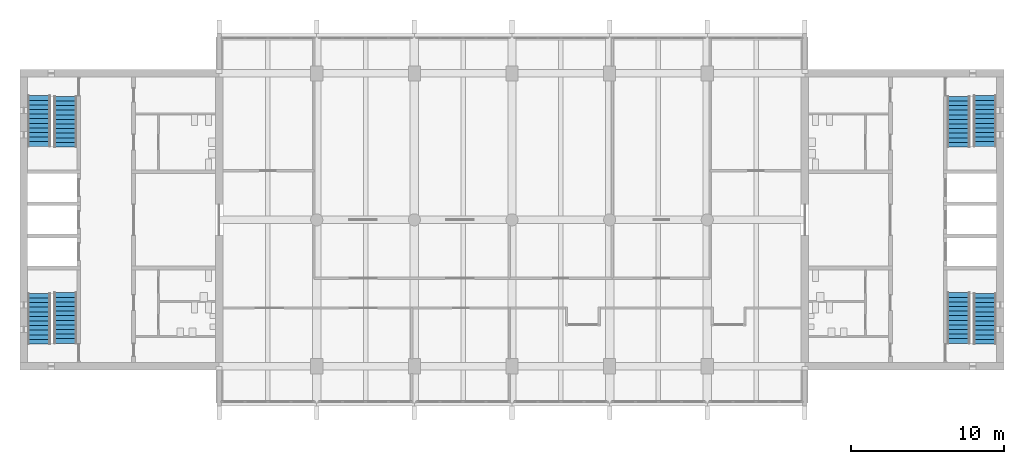
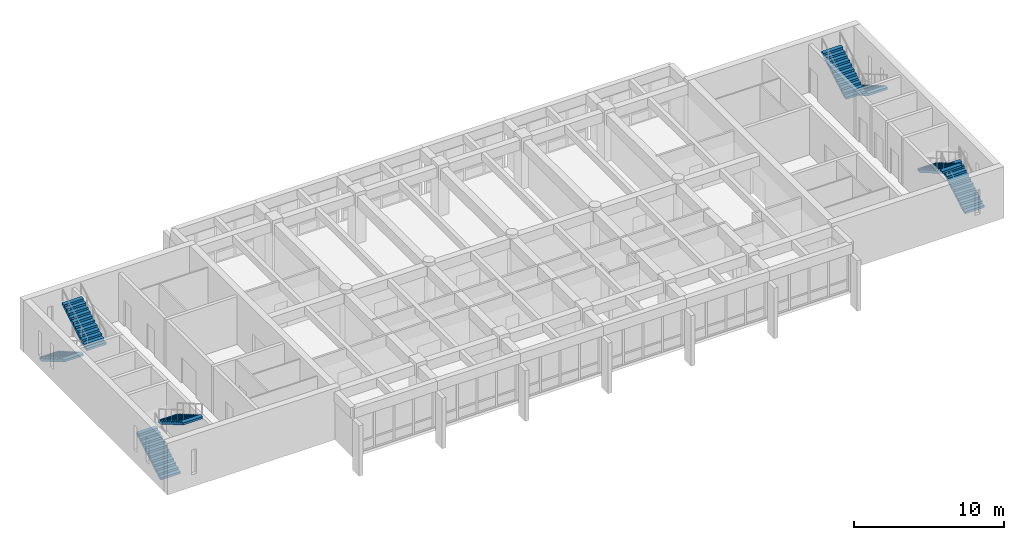
# One storey, part 13 of 15: 8 stair flights, 4 elements without a shape of their own.
"""IFC4 building model written with IfcOpenShell, lengths in metres."""

from ifc_helpers import new_model, si_unit, direction, frame, origin, place, context, subcontext, project, spatial, polyline, outline, extrude, material, type_object, element, aggregate, save


model = new_model("IFC4")

# Units and contexts
model_context = context("Model", 3, precision=1e-05, world=origin(), true_north=direction((0.0, 1.0)))
body_context = subcontext(model_context, "Body", "Model", "MODEL_VIEW")
ifc_project = project(units=[si_unit("LENGTHUNIT", "METRE"), si_unit("AREAUNIT", "SQUARE_METRE"), si_unit("VOLUMEUNIT", "CUBIC_METRE"), si_unit("PLANEANGLEUNIT", "RADIAN"), si_unit("MASSUNIT", "GRAM", prefix="KILO")], contexts=[model_context])

# Site, building, storey
site_placement = place(None, origin())
site = spatial("IfcSite", under=ifc_project, at=site_placement, CompositionType="ELEMENT")
building_placement = place(site_placement, origin())
building = spatial("IfcBuilding", under=site, at=building_placement, Name="Fogon Plaza Fire Station and Headquarters Tower", CompositionType="ELEMENT")
storey_placement = place(building_placement, frame((0.0, 0.0, 60.0)))
storey = spatial("IfcBuildingStorey", under=building, at=storey_placement, Name="L15", CompositionType="ELEMENT", Elevation=60.0)

# Stair, stair flights
ifc_material_1 = material(Name="Concrete C40", Category="concrete")
stair_type = type_object("IfcStairType", Name="Exit Stair Two Flights", PredefinedType="TWO_STRAIGHT_RUN_STAIR", material=ifc_material_1)
stair_1_placement = place(storey_placement, origin())
stair_1 = element("IfcStair", 1, at=stair_1_placement, inside=storey, type_object=stair_type, Name="Stair ST1", PredefinedType="TWO_STRAIGHT_RUN_STAIR")
ifc_material_2 = material(Name="Concrete C40", Category="concrete")
stair_flight_type = type_object("IfcStairFlightType", Name="Stair Flight 12 Risers", PredefinedType="STRAIGHT", material=ifc_material_2)
stair_flight_1_placement = place(storey_placement, frame((13.800048828125, 35.060791015625, 0.0), z_axis=(0.0, 0.0, 1.0), x_axis=(0.0, 1.0, 0.0)))
stair_flight_1 = element("IfcStairFlight", 2, at=stair_flight_1_placement, type_object=stair_flight_type, Name="ST1 flight F33", NumberOfRisers=12, NumberOfTreads=11, PredefinedType="STRAIGHT", RiserHeight=0.175, TreadLength=0.301363636, context=body_context, shape_type="SweptSolid", body=[
    extrude(outline(polyline([(0.0, 0.0), (0.0, 0.175048828125), (0.30126953125, 0.175048828125), (0.30126953125, 0.35009765625), (0.602783203125, 0.35009765625), (0.602783203125, 0.52490234375), (0.904052734375, 0.52490234375), (0.904052734375, 0.699951171875), (1.20556640625, 0.699951171875), (1.20556640625, 0.875), (1.5068359375, 0.875), (1.5068359375, 1.050048828125), (1.80810546875, 1.050048828125), (1.80810546875, 1.22509765625), (2.109619140625, 1.22509765625), (2.109619140625, 1.39990234375), (2.410888671875, 1.39990234375), (2.410888671875, 1.574951171875), (2.712158203125, 1.574951171875), (2.712158203125, 1.75), (3.013671875, 1.75), (3.013671875, 1.925048828125), (3.31494140625, 1.925048828125), (3.31494140625, 2.10009765625), (3.31494140625, 1.751708984375), (0.298583984375, 0.0), (0.0, 0.0)])), frame((0.0, 0.75, 0.0), z_axis=(0.0, -1.0, 0.0), x_axis=(1.0, 0.0, 0.0)), (0.0, 0.0, 1.0), 1.5),
])
stair_flight_2_placement = place(storey_placement, frame((15.52490234375, 38.42431640625, 2.10009765625), z_axis=(0.0, 0.0, 1.0), x_axis=(0.0, -1.0, 0.0)))
stair_flight_2 = element("IfcStairFlight", 3, at=stair_flight_2_placement, type_object=stair_flight_type, Name="ST1 flight F34", NumberOfRisers=12, NumberOfTreads=11, PredefinedType="STRAIGHT", RiserHeight=0.175, TreadLength=0.301363636, context=body_context, shape_type="SweptSolid", body=[
    extrude(outline(polyline([(0.0, 0.0), (0.0, 0.175048828125), (0.30126953125, 0.175048828125), (0.30126953125, 0.35009765625), (0.602783203125, 0.35009765625), (0.602783203125, 0.52490234375), (0.904052734375, 0.52490234375), (0.904052734375, 0.699951171875), (1.20556640625, 0.699951171875), (1.20556640625, 0.875), (1.5068359375, 0.875), (1.5068359375, 1.050048828125), (1.80810546875, 1.050048828125), (1.80810546875, 1.22509765625), (2.109619140625, 1.22509765625), (2.109619140625, 1.39990234375), (2.410888671875, 1.39990234375), (2.410888671875, 1.574951171875), (2.712158203125, 1.574951171875), (2.712158203125, 1.75), (3.013671875, 1.75), (3.013671875, 1.925048828125), (3.31494140625, 1.925048828125), (3.31494140625, 2.10009765625), (3.31494140625, 1.751708984375), (0.298583984375, 0.0), (0.0, 0.0)])), frame((0.0, 0.75, 0.0), z_axis=(0.0, -1.0, 0.0), x_axis=(1.0, 0.0, 0.0)), (0.0, 0.0, 1.0), 1.5),
])
aggregate(stair_1, [stair_flight_1, stair_flight_2])

stair_2_placement = place(storey_placement, origin())
stair_2 = element("IfcStair", 4, at=stair_2_placement, inside=storey, type_object=stair_type, Name="Stair ST2", PredefinedType="TWO_STRAIGHT_RUN_STAIR")
stair_flight_3_placement = place(storey_placement, frame((13.800048828125, 51.33935546875, 0.0), z_axis=(0.0, 0.0, 1.0), x_axis=(0.0, -1.0, 0.0)))
stair_flight_3 = element("IfcStairFlight", 5, at=stair_flight_3_placement, type_object=stair_flight_type, Name="ST2 flight F33", NumberOfRisers=12, NumberOfTreads=11, PredefinedType="STRAIGHT", RiserHeight=0.175, TreadLength=0.301363636, context=body_context, shape_type="SweptSolid", body=[
    extrude(outline(polyline([(0.0, 0.0), (0.0, 0.175048828125), (0.30126953125, 0.175048828125), (0.30126953125, 0.35009765625), (0.602783203125, 0.35009765625), (0.602783203125, 0.52490234375), (0.904052734375, 0.52490234375), (0.904052734375, 0.699951171875), (1.20556640625, 0.699951171875), (1.20556640625, 0.875), (1.5068359375, 0.875), (1.5068359375, 1.050048828125), (1.80810546875, 1.050048828125), (1.80810546875, 1.22509765625), (2.109619140625, 1.22509765625), (2.109619140625, 1.39990234375), (2.410888671875, 1.39990234375), (2.410888671875, 1.574951171875), (2.712158203125, 1.574951171875), (2.712158203125, 1.75), (3.013671875, 1.75), (3.013671875, 1.925048828125), (3.31494140625, 1.925048828125), (3.31494140625, 2.10009765625), (3.31494140625, 1.751708984375), (0.298583984375, 0.0), (0.0, 0.0)])), frame((0.0, 0.75, 0.0), z_axis=(0.0, -1.0, 0.0), x_axis=(1.0, 0.0, 0.0)), (0.0, 0.0, 1.0), 1.5),
])
stair_flight_4_placement = place(storey_placement, frame((15.52490234375, 47.975830078125, 2.10009765625), z_axis=(0.0, 0.0, 1.0), x_axis=(0.0, 1.0, 0.0)))
stair_flight_4 = element("IfcStairFlight", 6, at=stair_flight_4_placement, type_object=stair_flight_type, Name="ST2 flight F34", NumberOfRisers=12, NumberOfTreads=11, PredefinedType="STRAIGHT", RiserHeight=0.175, TreadLength=0.301363636, context=body_context, shape_type="SweptSolid", body=[
    extrude(outline(polyline([(0.0, 0.0), (0.0, 0.175048828125), (0.30126953125, 0.175048828125), (0.30126953125, 0.35009765625), (0.602783203125, 0.35009765625), (0.602783203125, 0.52490234375), (0.904052734375, 0.52490234375), (0.904052734375, 0.699951171875), (1.20556640625, 0.699951171875), (1.20556640625, 0.875), (1.5068359375, 0.875), (1.5068359375, 1.050048828125), (1.80810546875, 1.050048828125), (1.80810546875, 1.22509765625), (2.109619140625, 1.22509765625), (2.109619140625, 1.39990234375), (2.410888671875, 1.39990234375), (2.410888671875, 1.574951171875), (2.712158203125, 1.574951171875), (2.712158203125, 1.75), (3.013671875, 1.75), (3.013671875, 1.925048828125), (3.31494140625, 1.925048828125), (3.31494140625, 2.10009765625), (3.31494140625, 1.751708984375), (0.298583984375, 0.0), (0.0, 0.0)])), frame((0.0, 0.75, 0.0), z_axis=(0.0, -1.0, 0.0), x_axis=(1.0, 0.0, 0.0)), (0.0, 0.0, 1.0), 1.5),
])
aggregate(stair_2, [stair_flight_3, stair_flight_4])

stair_3_placement = place(storey_placement, origin())
stair_3 = element("IfcStair", 7, at=stair_3_placement, inside=storey, type_object=stair_type, Name="Stair ST3", PredefinedType="TWO_STRAIGHT_RUN_STAIR")
stair_flight_5_placement = place(storey_placement, frame((75.800048828125, 35.060791015625, 0.0), z_axis=(0.0, 0.0, 1.0), x_axis=(0.0, 1.0, 0.0)))
stair_flight_5 = element("IfcStairFlight", 8, at=stair_flight_5_placement, type_object=stair_flight_type, Name="ST3 flight F33", NumberOfRisers=12, NumberOfTreads=11, PredefinedType="STRAIGHT", RiserHeight=0.175, TreadLength=0.301363636, context=body_context, shape_type="SweptSolid", body=[
    extrude(outline(polyline([(0.0, 0.0), (0.0, 0.175048828125), (0.30126953125, 0.175048828125), (0.30126953125, 0.35009765625), (0.602783203125, 0.35009765625), (0.602783203125, 0.52490234375), (0.904052734375, 0.52490234375), (0.904052734375, 0.699951171875), (1.20556640625, 0.699951171875), (1.20556640625, 0.875), (1.5068359375, 0.875), (1.5068359375, 1.050048828125), (1.80810546875, 1.050048828125), (1.80810546875, 1.22509765625), (2.109619140625, 1.22509765625), (2.109619140625, 1.39990234375), (2.410888671875, 1.39990234375), (2.410888671875, 1.574951171875), (2.712158203125, 1.574951171875), (2.712158203125, 1.75), (3.013671875, 1.75), (3.013671875, 1.925048828125), (3.31494140625, 1.925048828125), (3.31494140625, 2.10009765625), (3.31494140625, 1.751708984375), (0.298583984375, 0.0), (0.0, 0.0)])), frame((0.0, 0.75, 0.0), z_axis=(0.0, -1.0, 0.0), x_axis=(1.0, 0.0, 0.0)), (0.0, 0.0, 1.0), 1.5),
])
stair_flight_6_placement = place(storey_placement, frame((74.074951171875, 38.42431640625, 2.10009765625), z_axis=(0.0, 0.0, 1.0), x_axis=(0.0, -1.0, 0.0)))
stair_flight_6 = element("IfcStairFlight", 9, at=stair_flight_6_placement, type_object=stair_flight_type, Name="ST3 flight F34", NumberOfRisers=12, NumberOfTreads=11, PredefinedType="STRAIGHT", RiserHeight=0.175, TreadLength=0.301363636, context=body_context, shape_type="SweptSolid", body=[
    extrude(outline(polyline([(0.0, 0.0), (0.0, 0.175048828125), (0.30126953125, 0.175048828125), (0.30126953125, 0.35009765625), (0.602783203125, 0.35009765625), (0.602783203125, 0.52490234375), (0.904052734375, 0.52490234375), (0.904052734375, 0.699951171875), (1.20556640625, 0.699951171875), (1.20556640625, 0.875), (1.5068359375, 0.875), (1.5068359375, 1.050048828125), (1.80810546875, 1.050048828125), (1.80810546875, 1.22509765625), (2.109619140625, 1.22509765625), (2.109619140625, 1.39990234375), (2.410888671875, 1.39990234375), (2.410888671875, 1.574951171875), (2.712158203125, 1.574951171875), (2.712158203125, 1.75), (3.013671875, 1.75), (3.013671875, 1.925048828125), (3.31494140625, 1.925048828125), (3.31494140625, 2.10009765625), (3.31494140625, 1.751708984375), (0.298583984375, 0.0), (0.0, 0.0)])), frame((0.0, 0.75, 0.0), z_axis=(0.0, -1.0, 0.0), x_axis=(1.0, 0.0, 0.0)), (0.0, 0.0, 1.0), 1.5),
])
aggregate(stair_3, [stair_flight_5, stair_flight_6])

stair_4_placement = place(storey_placement, origin())
stair_4 = element("IfcStair", 10, at=stair_4_placement, inside=storey, type_object=stair_type, Name="Stair ST4", PredefinedType="TWO_STRAIGHT_RUN_STAIR")
stair_flight_7_placement = place(storey_placement, frame((75.800048828125, 51.33935546875, 0.0), z_axis=(0.0, 0.0, 1.0), x_axis=(0.0, -1.0, 0.0)))
stair_flight_7 = element("IfcStairFlight", 11, at=stair_flight_7_placement, type_object=stair_flight_type, Name="ST4 flight F33", NumberOfRisers=12, NumberOfTreads=11, PredefinedType="STRAIGHT", RiserHeight=0.175, TreadLength=0.301363636, context=body_context, shape_type="SweptSolid", body=[
    extrude(outline(polyline([(0.0, 0.0), (0.0, 0.175048828125), (0.30126953125, 0.175048828125), (0.30126953125, 0.35009765625), (0.602783203125, 0.35009765625), (0.602783203125, 0.52490234375), (0.904052734375, 0.52490234375), (0.904052734375, 0.699951171875), (1.20556640625, 0.699951171875), (1.20556640625, 0.875), (1.5068359375, 0.875), (1.5068359375, 1.050048828125), (1.80810546875, 1.050048828125), (1.80810546875, 1.22509765625), (2.109619140625, 1.22509765625), (2.109619140625, 1.39990234375), (2.410888671875, 1.39990234375), (2.410888671875, 1.574951171875), (2.712158203125, 1.574951171875), (2.712158203125, 1.75), (3.013671875, 1.75), (3.013671875, 1.925048828125), (3.31494140625, 1.925048828125), (3.31494140625, 2.10009765625), (3.31494140625, 1.751708984375), (0.298583984375, 0.0), (0.0, 0.0)])), frame((0.0, 0.75, 0.0), z_axis=(0.0, -1.0, 0.0), x_axis=(1.0, 0.0, 0.0)), (0.0, 0.0, 1.0), 1.5),
])
stair_flight_8_placement = place(storey_placement, frame((74.074951171875, 47.975830078125, 2.10009765625), z_axis=(0.0, 0.0, 1.0), x_axis=(0.0, 1.0, 0.0)))
stair_flight_8 = element("IfcStairFlight", 12, at=stair_flight_8_placement, type_object=stair_flight_type, Name="ST4 flight F34", NumberOfRisers=12, NumberOfTreads=11, PredefinedType="STRAIGHT", RiserHeight=0.175, TreadLength=0.301363636, context=body_context, shape_type="SweptSolid", body=[
    extrude(outline(polyline([(0.0, 0.0), (0.0, 0.175048828125), (0.30126953125, 0.175048828125), (0.30126953125, 0.35009765625), (0.602783203125, 0.35009765625), (0.602783203125, 0.52490234375), (0.904052734375, 0.52490234375), (0.904052734375, 0.699951171875), (1.20556640625, 0.699951171875), (1.20556640625, 0.875), (1.5068359375, 0.875), (1.5068359375, 1.050048828125), (1.80810546875, 1.050048828125), (1.80810546875, 1.22509765625), (2.109619140625, 1.22509765625), (2.109619140625, 1.39990234375), (2.410888671875, 1.39990234375), (2.410888671875, 1.574951171875), (2.712158203125, 1.574951171875), (2.712158203125, 1.75), (3.013671875, 1.75), (3.013671875, 1.925048828125), (3.31494140625, 1.925048828125), (3.31494140625, 2.10009765625), (3.31494140625, 1.751708984375), (0.298583984375, 0.0), (0.0, 0.0)])), frame((0.0, 0.75, 0.0), z_axis=(0.0, -1.0, 0.0), x_axis=(1.0, 0.0, 0.0)), (0.0, 0.0, 1.0), 1.5),
])
aggregate(stair_4, [stair_flight_7, stair_flight_8])

save(model, "model.ifc")
